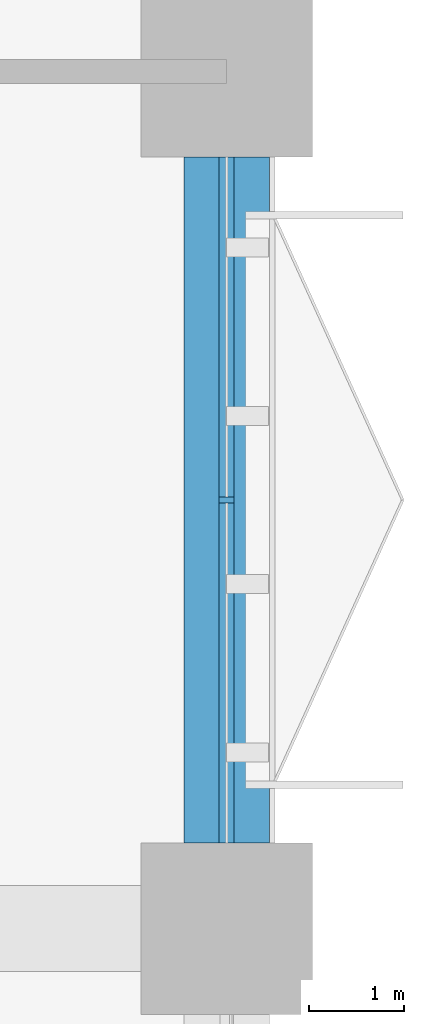
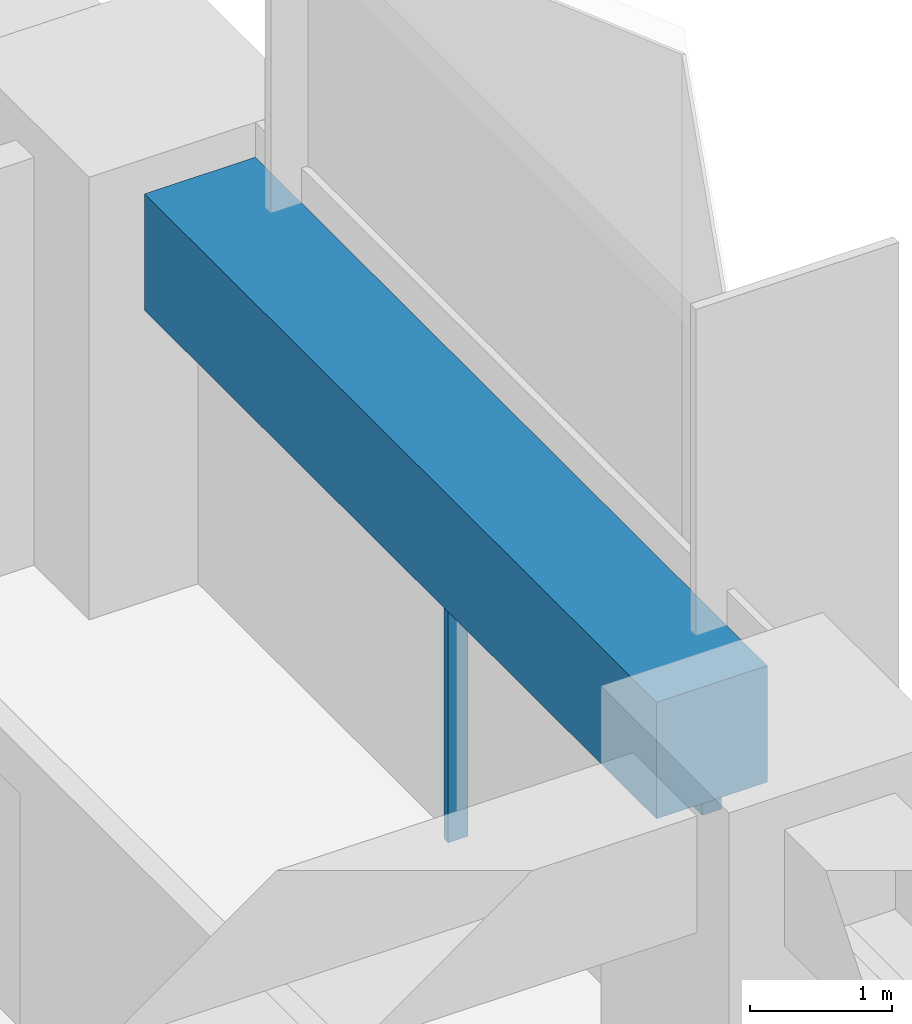
# One storey, part 6 of 24: 2 members, 1 beam, 1 element without a shape of its own.
"""IFC4 building model written with IfcOpenShell, lengths in metres."""

from ifc_helpers import new_model, si_unit, direction, frame, origin, origin_2d, place, context, subcontext, project, spatial, rectangle, extrude, material, material_profile, profile_set, type_object, element, aggregate, save


model = new_model("IFC4")

# Units and contexts
model_context = context("Model", 3, precision=1e-05, world=origin(), true_north=direction((0.0, 1.0)))
body_context = subcontext(model_context, "Body", "Model", "MODEL_VIEW")
ifc_project = project(units=[si_unit("LENGTHUNIT", "METRE"), si_unit("AREAUNIT", "SQUARE_METRE"), si_unit("VOLUMEUNIT", "CUBIC_METRE"), si_unit("PLANEANGLEUNIT", "RADIAN"), si_unit("MASSUNIT", "GRAM", prefix="KILO")], contexts=[model_context])

# Site, building, storey
site_placement = place(None, origin())
site = spatial("IfcSite", under=ifc_project, at=site_placement, CompositionType="ELEMENT")
building_placement = place(site_placement, origin())
building = spatial("IfcBuilding", under=site, at=building_placement, Name="Tessera Arch", CompositionType="ELEMENT")
storey_placement = place(building_placement, frame((0.0, 0.0, 81.60009765625)))
storey = spatial("IfcBuildingStorey", under=building, at=storey_placement, Name="L18", CompositionType="ELEMENT", Elevation=81.60009765625)

# Curtain wall, members
ifc_material_1 = material(Name="CW1 curtain wall")
curtain_wall_type = type_object("IfcCurtainWallType", Name="CW1 curtain wall", PredefinedType="NOTDEFINED", material=ifc_material_1)
curtain_wall_placement = place(storey_placement, origin())
curtain_wall = element("IfcCurtainWall", 1, at=curtain_wall_placement, inside=storey, type_object=curtain_wall_type, Name="CW1 curtain wall E54.0/3 L18", PredefinedType="NOTDEFINED")
ifc_material_2 = material(Name="Anodised aluminium pale metal", Category="aluminium")
ifc_material_profile_1 = material_profile(ifc_material_2, rectangle(XDim=0.159912109375, YDim=0.06005859375, at=origin_2d()), Name="AL 60x160")
ifc_profile_set_1 = profile_set([ifc_material_profile_1], Name="Anodised aluminium pale metal")
member_type_1 = type_object("IfcMemberType", Name="CW1 mullion", PredefinedType="MULLION", material=ifc_profile_set_1)
member_1_placement = place(storey_placement, frame((54.0, 31.5, 0.0), z_axis=(0.0, 0.0, 1.0), x_axis=(-1.0, 0.0, 0.0)))
member_1 = element("IfcMember", 2, at=member_1_placement, type_object=member_type_1, Name="CW1 mullion E54.0/3 1", PredefinedType="MULLION", context=body_context, shape_type="SweptSolid", body=[
    extrude(rectangle(XDim=0.159912109375, YDim=0.06005859375, at=origin_2d()), origin(), (0.0, 0.0, 1.0), 2.39990234375),
])
ifc_material_3 = material(Name="Anodised aluminium pale metal", Category="aluminium")
ifc_material_profile_2 = material_profile(ifc_material_3, rectangle(XDim=0.159912109375, YDim=0.10009765625, at=origin_2d()), Name="AL 160x100")
ifc_profile_set_2 = profile_set([ifc_material_profile_2], Name="Anodised aluminium pale metal")
member_type_2 = type_object("IfcMemberType", Name="CW1 transom", PredefinedType="USERDEFINED", material=ifc_profile_set_2)
member_2_placement = place(storey_placement, frame((54.0, 27.89990234375, 2.449951171875), z_axis=(0.0, 1.0, 0.0), x_axis=(-1.0, 0.0, 0.0)))
member_2 = element("IfcMember", 3, at=member_2_placement, type_object=member_type_2, Name="CW1 transom E54.0/3 1.1", ObjectType="TRANSOM", PredefinedType="USERDEFINED", context=body_context, shape_type="SweptSolid", body=[
    extrude(rectangle(XDim=0.159912109375, YDim=0.10009765625, at=origin_2d()), origin(), (0.0, 0.0, 1.0), 7.2001953125),
])
aggregate(curtain_wall, [member_1, member_2])

# Beam
ifc_material_4 = material(Name="Concrete C80/95", Category="concrete")
ifc_material_profile_3 = material_profile(ifc_material_4, rectangle(XDim=0.89990234375, YDim=1.0, at=origin_2d()), Name="RC spandrel beam 900 x 1000 Concrete C80/95")
ifc_profile_set_3 = profile_set([ifc_material_profile_3], Name="Concrete C80/95")
beam_type = type_object("IfcBeamType", Name="RC spandrel beam 900 x 1000 Concrete C80/95", PredefinedType="BEAM", material=ifc_profile_set_3)
beam_placement = place(storey_placement, frame((54.0, 27.89990234375, 3.0), z_axis=(0.0, 1.0, 0.0), x_axis=(-1.0, 0.0, 0.0)))
element("IfcBeam", 4, at=beam_placement, inside=storey, type_object=beam_type, Name="Spandrel beam L18 E54.0/3", PredefinedType="BEAM", context=body_context, shape_type="SweptSolid", body=[
    extrude(rectangle(XDim=0.89990234375, YDim=1.0, at=origin_2d()), origin(), (0.0, 0.0, 1.0), 7.2001953125),
])

save(model, "model.ifc")
